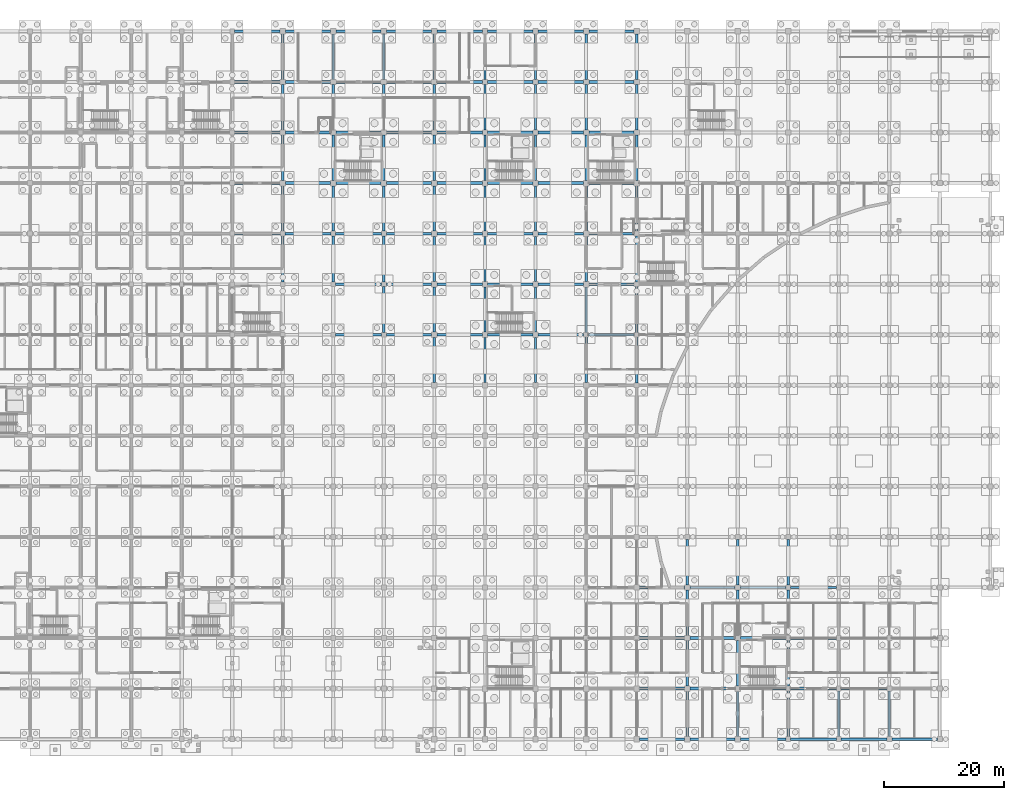
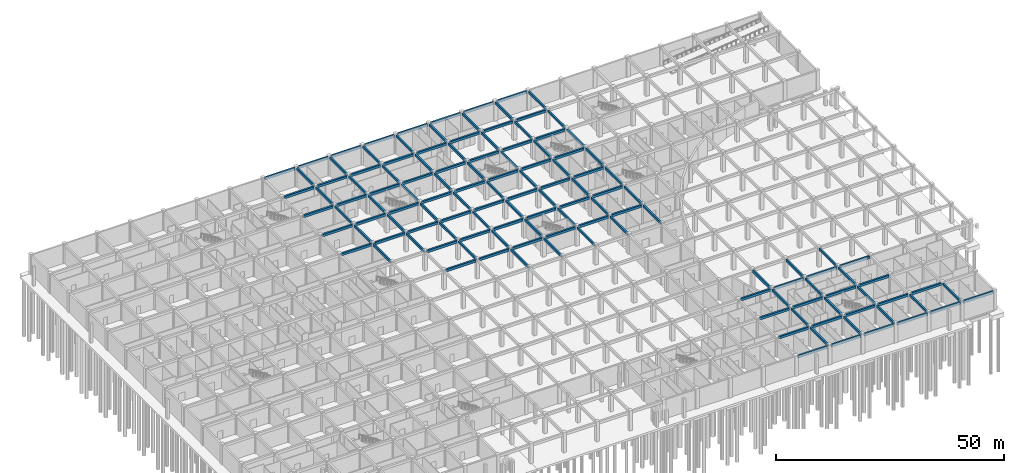
# One storey, part 23 of 65: 136 beams.
"""IFC4 building model written with IfcOpenShell, lengths in metres."""

from ifc_helpers import new_model, si_unit, direction, frame, origin, origin_2d, place, context, subcontext, project, spatial, rectangle, extrude, material, material_profile, profile_set, type_object, element, save


model = new_model("IFC4")

# Units and contexts
model_context = context("Model", 3, precision=1e-05, world=origin(), true_north=direction((0.0, 1.0)))
body_context = subcontext(model_context, "Body", "Model", "MODEL_VIEW")
ifc_project = project(units=[si_unit("LENGTHUNIT", "METRE"), si_unit("AREAUNIT", "SQUARE_METRE"), si_unit("VOLUMEUNIT", "CUBIC_METRE"), si_unit("PLANEANGLEUNIT", "RADIAN"), si_unit("MASSUNIT", "GRAM", prefix="KILO")], contexts=[model_context])

# Site, building, storey
site_placement = place(None, origin())
site = spatial("IfcSite", under=ifc_project, at=site_placement, CompositionType="ELEMENT")
building_placement = place(site_placement, origin())
building = spatial("IfcBuilding", under=site, at=building_placement, Name="Bramfleet General Hospital", CompositionType="ELEMENT")
storey_placement = place(building_placement, frame((0.0, 0.0, -5.39990234375)))
storey = spatial("IfcBuildingStorey", under=building, at=storey_placement, Name="B1", CompositionType="ELEMENT", Elevation=-5.39990234375)

# Beams
ifc_material = material(Name="Concrete C35/45", Category="concrete")
ifc_material_profile_1 = material_profile(ifc_material, rectangle(XDim=0.39990234375, YDim=0.60009765625, at=origin_2d()), Name="RC BM 600x400")
ifc_profile_set_1 = profile_set([ifc_material_profile_1], Name="Concrete C35/45")
beam_type_1 = type_object("IfcBeamType", Name="BM-RC600", PredefinedType="BEAM", material=ifc_profile_set_1)
beam_1_placement = place(storey_placement, frame((67.199951171875, 76.0, 4.77978515625), z_axis=(0.0, 1.0, 0.0), x_axis=(-1.0, 0.0, 0.0)))
element("IfcBeam", 1, at=beam_1_placement, inside=storey, type_object=beam_type_1, Name="B1 Grid Beam Y 08-09", PredefinedType="BEAM", context=body_context, shape_type="SweptSolid", body=[
    extrude(rectangle(XDim=0.39990234375, YDim=0.60009765625, at=origin_2d()), origin(), (0.0, 0.0, 1.0), 7.60009765625),
])
beam_2_placement = place(storey_placement, frame((67.199951171875, 84.39990234375, 4.77978515625), z_axis=(0.0, 1.0, 0.0), x_axis=(-1.0, 0.0, 0.0)))
element("IfcBeam", 2, at=beam_2_placement, inside=storey, type_object=beam_type_1, Name="B1 Grid Beam Y 08-10", PredefinedType="BEAM", context=body_context, shape_type="SweptSolid", body=[
    extrude(rectangle(XDim=0.39990234375, YDim=0.60009765625, at=origin_2d()), origin(), (0.0, 0.0, 1.0), 7.550048828125),
])
for number, where, z_axis, x_axis, name in (
    (3, (67.199951171875, 92.85009765625, 4.77978515625), (0.0, 1.0, 0.0), (-1.0, 0.0, 0.0), "B1 Grid Beam Y 08-11"),
    (4, (67.199951171875, 101.25, 4.77978515625), (0.0, 1.0, 0.0), (-1.0, 0.0, 0.0), "B1 Grid Beam Y 08-12"),
    (5, (67.199951171875, 109.64990234375, 4.77978515625), (0.0, 1.0, 0.0), (-1.0, 0.0, 0.0), "B1 Grid Beam Y 08-13"),
):
    element("IfcBeam", number, at=place(storey_placement, frame(where, z_axis=z_axis, x_axis=x_axis)), inside=storey, type_object=beam_type_1, Name=name, PredefinedType="BEAM", context=body_context, shape_type="SweptSolid", body=[
        extrude(rectangle(XDim=0.39990234375, YDim=0.60009765625, at=origin_2d()), origin(), (0.0, 0.0, 1.0), 7.5),
    ])
beam_3_placement = place(storey_placement, frame((75.60009765625, 76.0, 4.77978515625), z_axis=(0.0, 1.0, 0.0), x_axis=(-1.0, 0.0, 0.0)))
element("IfcBeam", 6, at=beam_3_placement, inside=storey, type_object=beam_type_1, Name="B1 Grid Beam Y 09-09", PredefinedType="BEAM", context=body_context, shape_type="SweptSolid", body=[
    extrude(rectangle(XDim=0.39990234375, YDim=0.60009765625, at=origin_2d()), origin(), (0.0, 0.0, 1.0), 7.60009765625),
])
beam_4_placement = place(storey_placement, frame((75.60009765625, 84.39990234375, 4.77978515625), z_axis=(0.0, 1.0, 0.0), x_axis=(-1.0, 0.0, 0.0)))
element("IfcBeam", 7, at=beam_4_placement, inside=storey, type_object=beam_type_1, Name="B1 Grid Beam Y 09-10", PredefinedType="BEAM", context=body_context, shape_type="SweptSolid", body=[
    extrude(rectangle(XDim=0.39990234375, YDim=0.60009765625, at=origin_2d()), origin(), (0.0, 0.0, 1.0), 7.550048828125),
])
for number, where, z_axis, x_axis, name in (
    (8, (75.60009765625, 92.85009765625, 4.77978515625), (0.0, 1.0, 0.0), (-1.0, 0.0, 0.0), "B1 Grid Beam Y 09-11"),
    (9, (75.60009765625, 101.25, 4.77978515625), (0.0, 1.0, 0.0), (-1.0, 0.0, 0.0), "B1 Grid Beam Y 09-12"),
    (10, (75.60009765625, 109.64990234375, 4.77978515625), (0.0, 1.0, 0.0), (-1.0, 0.0, 0.0), "B1 Grid Beam Y 09-13"),
):
    element("IfcBeam", number, at=place(storey_placement, frame(where, z_axis=z_axis, x_axis=x_axis)), inside=storey, type_object=beam_type_1, Name=name, PredefinedType="BEAM", context=body_context, shape_type="SweptSolid", body=[
        extrude(rectangle(XDim=0.39990234375, YDim=0.60009765625, at=origin_2d()), origin(), (0.0, 0.0, 1.0), 7.5),
    ])
beam_5_placement = place(storey_placement, frame((84.0, 67.60009765625, 4.77978515625), z_axis=(0.0, 1.0, 0.0), x_axis=(-1.0, 0.0, 0.0)))
element("IfcBeam", 11, at=beam_5_placement, inside=storey, type_object=beam_type_1, Name="B1 Grid Beam Y 10-08", PredefinedType="BEAM", context=body_context, shape_type="SweptSolid", body=[
    extrude(rectangle(XDim=0.39990234375, YDim=0.60009765625, at=origin_2d()), origin(), (0.0, 0.0, 1.0), 7.599853515625),
])
beam_6_placement = place(storey_placement, frame((84.0, 76.0, 4.77978515625), z_axis=(0.0, 1.0, 0.0), x_axis=(-1.0, 0.0, 0.0)))
element("IfcBeam", 12, at=beam_6_placement, inside=storey, type_object=beam_type_1, Name="B1 Grid Beam Y 10-09", PredefinedType="BEAM", context=body_context, shape_type="SweptSolid", body=[
    extrude(rectangle(XDim=0.39990234375, YDim=0.60009765625, at=origin_2d()), origin(), (0.0, 0.0, 1.0), 7.60009765625),
])
beam_7_placement = place(storey_placement, frame((84.0, 84.39990234375, 4.77978515625), z_axis=(0.0, 1.0, 0.0), x_axis=(-1.0, 0.0, 0.0)))
element("IfcBeam", 13, at=beam_7_placement, inside=storey, type_object=beam_type_1, Name="B1 Grid Beam Y 10-10", PredefinedType="BEAM", context=body_context, shape_type="SweptSolid", body=[
    extrude(rectangle(XDim=0.39990234375, YDim=0.60009765625, at=origin_2d()), origin(), (0.0, 0.0, 1.0), 7.550048828125),
])
for number, where, z_axis, x_axis, name in (
    (14, (84.0, 92.85009765625, 4.77978515625), (0.0, 1.0, 0.0), (-1.0, 0.0, 0.0), "B1 Grid Beam Y 10-11"),
    (15, (84.0, 101.25, 4.77978515625), (0.0, 1.0, 0.0), (-1.0, 0.0, 0.0), "B1 Grid Beam Y 10-12"),
    (16, (84.0, 109.64990234375, 4.77978515625), (0.0, 1.0, 0.0), (-1.0, 0.0, 0.0), "B1 Grid Beam Y 10-13"),
    (17, (92.39990234375, 59.25, 4.77978515625), (0.0, 1.0, 0.0), (-1.0, 0.0, 0.0), "B1 Grid Beam Y 11-07"),
    (18, (92.39990234375, 67.64990234375, 4.77978515625), (0.0, 1.0, 0.0), (-1.0, 0.0, 0.0), "B1 Grid Beam Y 11-08"),
    (19, (92.39990234375, 76.050048828125, 4.77978515625), (0.0, 1.0, 0.0), (-1.0, 0.0, 0.0), "B1 Grid Beam Y 11-09"),
    (20, (92.39990234375, 84.449951171875, 4.77978515625), (0.0, 1.0, 0.0), (-1.0, 0.0, 0.0), "B1 Grid Beam Y 11-10"),
    (21, (92.39990234375, 92.85009765625, 4.77978515625), (0.0, 1.0, 0.0), (-1.0, 0.0, 0.0), "B1 Grid Beam Y 11-11"),
    (22, (92.39990234375, 101.25, 4.77978515625), (0.0, 1.0, 0.0), (-1.0, 0.0, 0.0), "B1 Grid Beam Y 11-12"),
    (23, (92.39990234375, 109.64990234375, 4.77978515625), (0.0, 1.0, 0.0), (-1.0, 0.0, 0.0), "B1 Grid Beam Y 11-13"),
    (24, (100.800048828125, 59.25, 4.77978515625), (0.0, 1.0, 0.0), (-1.0, 0.0, 0.0), "B1 Grid Beam Y 12-07"),
    (25, (100.800048828125, 67.64990234375, 4.77978515625), (0.0, 1.0, 0.0), (-1.0, 0.0, 0.0), "B1 Grid Beam Y 12-08"),
    (26, (100.800048828125, 76.050048828125, 4.77978515625), (0.0, 1.0, 0.0), (-1.0, 0.0, 0.0), "B1 Grid Beam Y 12-09"),
    (27, (100.800048828125, 84.449951171875, 4.77978515625), (0.0, 1.0, 0.0), (-1.0, 0.0, 0.0), "B1 Grid Beam Y 12-10"),
    (28, (100.800048828125, 92.85009765625, 4.77978515625), (0.0, 1.0, 0.0), (-1.0, 0.0, 0.0), "B1 Grid Beam Y 12-11"),
    (29, (100.800048828125, 101.25, 4.77978515625), (0.0, 1.0, 0.0), (-1.0, 0.0, 0.0), "B1 Grid Beam Y 12-12"),
    (30, (100.800048828125, 109.64990234375, 4.77978515625), (0.0, 1.0, 0.0), (-1.0, 0.0, 0.0), "B1 Grid Beam Y 12-13"),
    (31, (109.199951171875, 59.25, 4.77978515625), (0.0, 1.0, 0.0), (-1.0, 0.0, 0.0), "B1 Grid Beam Y 13-07"),
    (32, (109.199951171875, 67.64990234375, 4.77978515625), (0.0, 1.0, 0.0), (-1.0, 0.0, 0.0), "B1 Grid Beam Y 13-08"),
    (33, (109.199951171875, 76.050048828125, 4.77978515625), (0.0, 1.0, 0.0), (-1.0, 0.0, 0.0), "B1 Grid Beam Y 13-09"),
    (34, (109.199951171875, 84.449951171875, 4.77978515625), (0.0, 1.0, 0.0), (-1.0, 0.0, 0.0), "B1 Grid Beam Y 13-10"),
    (35, (109.199951171875, 92.85009765625, 4.77978515625), (0.0, 1.0, 0.0), (-1.0, 0.0, 0.0), "B1 Grid Beam Y 13-11"),
    (36, (109.199951171875, 101.25, 4.77978515625), (0.0, 1.0, 0.0), (-1.0, 0.0, 0.0), "B1 Grid Beam Y 13-12"),
    (37, (109.199951171875, 109.64990234375, 4.77978515625), (0.0, 1.0, 0.0), (-1.0, 0.0, 0.0), "B1 Grid Beam Y 13-13"),
):
    element("IfcBeam", number, at=place(storey_placement, frame(where, z_axis=z_axis, x_axis=x_axis)), inside=storey, type_object=beam_type_1, Name=name, PredefinedType="BEAM", context=body_context, shape_type="SweptSolid", body=[
        extrude(rectangle(XDim=0.39990234375, YDim=0.60009765625, at=origin_2d()), origin(), (0.0, 0.0, 1.0), 7.5),
    ])
beam_8_placement = place(storey_placement, frame((117.60009765625, 59.25, 4.77978515625), z_axis=(0.0, 1.0, 0.0), x_axis=(-1.0, 0.0, 0.0)))
element("IfcBeam", 38, at=beam_8_placement, inside=storey, type_object=beam_type_1, Name="B1 Grid Beam Y 14-07", PredefinedType="BEAM", context=body_context, shape_type="SweptSolid", body=[
    extrude(rectangle(XDim=0.39990234375, YDim=0.60009765625, at=origin_2d()), origin(), (0.0, 0.0, 1.0), 7.550048828125),
])
beam_9_placement = place(storey_placement, frame((117.60009765625, 67.60009765625, 4.77978515625), z_axis=(0.0, 1.0, 0.0), x_axis=(-1.0, 0.0, 0.0)))
element("IfcBeam", 39, at=beam_9_placement, inside=storey, type_object=beam_type_1, Name="B1 Grid Beam Y 14-08", PredefinedType="BEAM", context=body_context, shape_type="SweptSolid", body=[
    extrude(rectangle(XDim=0.39990234375, YDim=0.60009765625, at=origin_2d()), origin(), (0.0, 0.0, 1.0), 7.5498046875),
])
for number, where, z_axis, x_axis, name in (
    (40, (117.60009765625, 76.050048828125, 4.77978515625), (0.0, 1.0, 0.0), (-1.0, 0.0, 0.0), "B1 Grid Beam Y 14-09"),
    (41, (117.60009765625, 84.449951171875, 4.77978515625), (0.0, 1.0, 0.0), (-1.0, 0.0, 0.0), "B1 Grid Beam Y 14-10"),
    (42, (117.60009765625, 92.85009765625, 4.77978515625), (0.0, 1.0, 0.0), (-1.0, 0.0, 0.0), "B1 Grid Beam Y 14-11"),
    (43, (117.60009765625, 101.25, 4.77978515625), (0.0, 1.0, 0.0), (-1.0, 0.0, 0.0), "B1 Grid Beam Y 14-12"),
    (44, (117.60009765625, 109.64990234375, 4.77978515625), (0.0, 1.0, 0.0), (-1.0, 0.0, 0.0), "B1 Grid Beam Y 14-13"),
):
    element("IfcBeam", number, at=place(storey_placement, frame(where, z_axis=z_axis, x_axis=x_axis)), inside=storey, type_object=beam_type_1, Name=name, PredefinedType="BEAM", context=body_context, shape_type="SweptSolid", body=[
        extrude(rectangle(XDim=0.39990234375, YDim=0.60009765625, at=origin_2d()), origin(), (0.0, 0.0, 1.0), 7.5),
    ])
beam_10_placement = place(storey_placement, frame((126.0, 59.199951171875, 4.77978515625), z_axis=(0.0, 1.0, 0.0), x_axis=(-1.0, 0.0, 0.0)))
element("IfcBeam", 45, at=beam_10_placement, inside=storey, type_object=beam_type_1, Name="B1 Grid Beam Y 15-07", PredefinedType="BEAM", context=body_context, shape_type="SweptSolid", body=[
    extrude(rectangle(XDim=0.39990234375, YDim=0.60009765625, at=origin_2d()), origin(), (0.0, 0.0, 1.0), 7.60009765625),
])
beam_11_placement = place(storey_placement, frame((126.0, 67.60009765625, 4.77978515625), z_axis=(0.0, 1.0, 0.0), x_axis=(-1.0, 0.0, 0.0)))
element("IfcBeam", 46, at=beam_11_placement, inside=storey, type_object=beam_type_1, Name="B1 Grid Beam Y 15-08", PredefinedType="BEAM", context=body_context, shape_type="SweptSolid", body=[
    extrude(rectangle(XDim=0.39990234375, YDim=0.60009765625, at=origin_2d()), origin(), (0.0, 0.0, 1.0), 7.599853515625),
])
beam_12_placement = place(storey_placement, frame((126.0, 76.0, 4.77978515625), z_axis=(0.0, 1.0, 0.0), x_axis=(-1.0, 0.0, 0.0)))
element("IfcBeam", 47, at=beam_12_placement, inside=storey, type_object=beam_type_1, Name="B1 Grid Beam Y 15-09", PredefinedType="BEAM", context=body_context, shape_type="SweptSolid", body=[
    extrude(rectangle(XDim=0.39990234375, YDim=0.60009765625, at=origin_2d()), origin(), (0.0, 0.0, 1.0), 7.60009765625),
])
beam_13_placement = place(storey_placement, frame((126.0, 84.39990234375, 4.77978515625), z_axis=(0.0, 1.0, 0.0), x_axis=(-1.0, 0.0, 0.0)))
element("IfcBeam", 48, at=beam_13_placement, inside=storey, type_object=beam_type_1, Name="B1 Grid Beam Y 15-10", PredefinedType="BEAM", context=body_context, shape_type="SweptSolid", body=[
    extrude(rectangle(XDim=0.39990234375, YDim=0.60009765625, at=origin_2d()), origin(), (0.0, 0.0, 1.0), 7.550048828125),
])
for number, where, z_axis, x_axis, name in (
    (49, (126.0, 92.85009765625, 4.77978515625), (0.0, 1.0, 0.0), (-1.0, 0.0, 0.0), "B1 Grid Beam Y 15-11"),
    (50, (126.0, 101.25, 4.77978515625), (0.0, 1.0, 0.0), (-1.0, 0.0, 0.0), "B1 Grid Beam Y 15-12"),
    (51, (126.0, 109.64990234375, 4.77978515625), (0.0, 1.0, 0.0), (-1.0, 0.0, 0.0), "B1 Grid Beam Y 15-13"),
    (52, (134.39990234375, 0.449951171875, 4.77978515625), (0.0, 1.0, 0.0), (-1.0, 0.0, 0.0), "B1 Grid Beam Y 16-00"),
    (53, (134.39990234375, 8.85009765625, 4.77978515625), (0.0, 1.0, 0.0), (-1.0, 0.0, 0.0), "B1 Grid Beam Y 16-01"),
    (54, (134.39990234375, 17.25, 4.77978515625), (0.0, 1.0, 0.0), (-1.0, 0.0, 0.0), "B1 Grid Beam Y 16-02"),
    (55, (142.800048828125, 0.449951171875, 4.77978515625), (0.0, 1.0, 0.0), (-1.0, 0.0, 0.0), "B1 Grid Beam Y 17-00"),
    (56, (142.800048828125, 8.85009765625, 4.77978515625), (0.0, 1.0, 0.0), (-1.0, 0.0, 0.0), "B1 Grid Beam Y 17-01"),
    (57, (142.800048828125, 17.25, 4.77978515625), (0.0, 1.0, 0.0), (-1.0, 0.0, 0.0), "B1 Grid Beam Y 17-02"),
):
    element("IfcBeam", number, at=place(storey_placement, frame(where, z_axis=z_axis, x_axis=x_axis)), inside=storey, type_object=beam_type_1, Name=name, PredefinedType="BEAM", context=body_context, shape_type="SweptSolid", body=[
        extrude(rectangle(XDim=0.39990234375, YDim=0.60009765625, at=origin_2d()), origin(), (0.0, 0.0, 1.0), 7.5),
    ])
beam_14_placement = place(storey_placement, frame((142.800048828125, 25.64990234375, 4.77978515625), z_axis=(0.0, 1.0, 0.0), x_axis=(-1.0, 0.0, 0.0)))
element("IfcBeam", 58, at=beam_14_placement, inside=storey, type_object=beam_type_1, Name="B1 Grid Beam Y 17-03", PredefinedType="BEAM", context=body_context, shape_type="SweptSolid", body=[
    extrude(rectangle(XDim=0.39990234375, YDim=0.60009765625, at=origin_2d()), origin(), (0.0, 0.0, 1.0), 7.550048828125),
])
beam_15_placement = place(storey_placement, frame((151.199951171875, 0.39990234375, 4.77978515625), z_axis=(0.0, 1.0, 0.0), x_axis=(-1.0, 0.0, 0.0)))
element("IfcBeam", 59, at=beam_15_placement, inside=storey, type_object=beam_type_1, Name="B1 Grid Beam Y 18-00", PredefinedType="BEAM", context=body_context, shape_type="SweptSolid", body=[
    extrude(rectangle(XDim=0.39990234375, YDim=0.60009765625, at=origin_2d()), origin(), (0.0, 0.0, 1.0), 7.60009765625),
])
beam_16_placement = place(storey_placement, frame((151.199951171875, 8.800048828125, 4.77978515625), z_axis=(0.0, 1.0, 0.0), x_axis=(-1.0, 0.0, 0.0)))
element("IfcBeam", 60, at=beam_16_placement, inside=storey, type_object=beam_type_1, Name="B1 Grid Beam Y 18-01", PredefinedType="BEAM", context=body_context, shape_type="SweptSolid", body=[
    extrude(rectangle(XDim=0.39990234375, YDim=0.60009765625, at=origin_2d()), origin(), (0.0, 0.0, 1.0), 7.599853515625),
])
beam_17_placement = place(storey_placement, frame((151.199951171875, 17.199951171875, 4.77978515625), z_axis=(0.0, 1.0, 0.0), x_axis=(-1.0, 0.0, 0.0)))
element("IfcBeam", 61, at=beam_17_placement, inside=storey, type_object=beam_type_1, Name="B1 Grid Beam Y 18-02", PredefinedType="BEAM", context=body_context, shape_type="SweptSolid", body=[
    extrude(rectangle(XDim=0.39990234375, YDim=0.60009765625, at=origin_2d()), origin(), (0.0, 0.0, 1.0), 7.60009765625),
])
beam_18_placement = place(storey_placement, frame((151.199951171875, 25.60009765625, 4.77978515625), z_axis=(0.0, 1.0, 0.0), x_axis=(-1.0, 0.0, 0.0)))
element("IfcBeam", 62, at=beam_18_placement, inside=storey, type_object=beam_type_1, Name="B1 Grid Beam Y 18-03", PredefinedType="BEAM", context=body_context, shape_type="SweptSolid", body=[
    extrude(rectangle(XDim=0.39990234375, YDim=0.60009765625, at=origin_2d()), origin(), (0.0, 0.0, 1.0), 7.599853515625),
])
for number, where, z_axis, x_axis, name in (
    (63, (159.60009765625, 0.39990234375, 4.77978515625), (0.0, 1.0, 0.0), (-1.0, 0.0, 0.0), "B1 Grid Beam Y 19-00"),
    (64, (168.0, 0.39990234375, 4.77978515625), (0.0, 1.0, 0.0), (-1.0, 0.0, 0.0), "B1 Grid Beam Y 20-00"),
):
    element("IfcBeam", number, at=place(storey_placement, frame(where, z_axis=z_axis, x_axis=x_axis)), inside=storey, type_object=beam_type_1, Name=name, PredefinedType="BEAM", context=body_context, shape_type="SweptSolid", body=[
        extrude(rectangle(XDim=0.39990234375, YDim=0.60009765625, at=origin_2d()), origin(), (0.0, 0.0, 1.0), 7.60009765625),
    ])
ifc_material_profile_2 = material_profile(ifc_material, rectangle(XDim=0.449951171875, YDim=0.64990234375, at=origin_2d()), Name="RC BM 650x450")
ifc_profile_set_2 = profile_set([ifc_material_profile_2], Name="Concrete C35/45")
beam_type_2 = type_object("IfcBeamType", Name="BM-RC650", PredefinedType="BEAM", material=ifc_profile_set_2)
beam_19_placement = place(storey_placement, frame((59.199951171875, 84.0, 4.7548828125), z_axis=(1.0, 0.0, 0.0), x_axis=(0.0, 1.0, 0.0)))
element("IfcBeam", 65, at=beam_19_placement, inside=storey, type_object=beam_type_2, Name="B1 Grid Beam X 07-10", PredefinedType="BEAM", context=body_context, shape_type="SweptSolid", body=[
    extrude(rectangle(XDim=0.449951171875, YDim=0.64990234375, at=origin_2d()), origin(), (0.0, 0.0, 1.0), 7.60009765625),
])
for number, where, z_axis, x_axis, name in (
    (66, (59.199951171875, 92.39990234375, 4.7548828125), (1.0, 0.0, 0.0), (0.0, 1.0, 0.0), "B1 Grid Beam X 07-11"),
    (67, (59.199951171875, 100.800048828125, 4.7548828125), (1.0, 0.0, 0.0), (0.0, 1.0, 0.0), "B1 Grid Beam X 07-12"),
    (68, (59.199951171875, 109.199951171875, 4.7548828125), (1.0, 0.0, 0.0), (0.0, 1.0, 0.0), "B1 Grid Beam X 07-13"),
):
    element("IfcBeam", number, at=place(storey_placement, frame(where, z_axis=z_axis, x_axis=x_axis)), inside=storey, type_object=beam_type_2, Name=name, PredefinedType="BEAM", context=body_context, shape_type="SweptSolid", body=[
        extrude(rectangle(XDim=0.449951171875, YDim=0.64990234375, at=origin_2d()), origin(), (0.0, 0.0, 1.0), 7.550048828125),
    ])
beam_20_placement = place(storey_placement, frame((67.60009765625, 84.0, 4.7548828125), z_axis=(1.0, 0.0, 0.0), x_axis=(0.0, 1.0, 0.0)))
element("IfcBeam", 69, at=beam_20_placement, inside=storey, type_object=beam_type_2, Name="B1 Grid Beam X 08-10", PredefinedType="BEAM", context=body_context, shape_type="SweptSolid", body=[
    extrude(rectangle(XDim=0.449951171875, YDim=0.64990234375, at=origin_2d()), origin(), (0.0, 0.0, 1.0), 7.599853515625),
])
for number, where, z_axis, x_axis, name in (
    (70, (67.64990234375, 92.39990234375, 4.7548828125), (1.0, 0.0, 0.0), (0.0, 1.0, 0.0), "B1 Grid Beam X 08-11"),
    (71, (67.64990234375, 100.800048828125, 4.7548828125), (1.0, 0.0, 0.0), (0.0, 1.0, 0.0), "B1 Grid Beam X 08-12"),
    (72, (67.64990234375, 109.199951171875, 4.7548828125), (1.0, 0.0, 0.0), (0.0, 1.0, 0.0), "B1 Grid Beam X 08-13"),
):
    element("IfcBeam", number, at=place(storey_placement, frame(where, z_axis=z_axis, x_axis=x_axis)), inside=storey, type_object=beam_type_2, Name=name, PredefinedType="BEAM", context=body_context, shape_type="SweptSolid", body=[
        extrude(rectangle(XDim=0.449951171875, YDim=0.64990234375, at=origin_2d()), origin(), (0.0, 0.0, 1.0), 7.5),
    ])
for number, where, z_axis, x_axis, name in (
    (73, (76.0, 67.199951171875, 4.7548828125), (1.0, 0.0, 0.0), (0.0, 1.0, 0.0), "B1 Grid Beam X 09-08"),
    (74, (76.0, 75.60009765625, 4.7548828125), (1.0, 0.0, 0.0), (0.0, 1.0, 0.0), "B1 Grid Beam X 09-09"),
    (75, (76.0, 84.0, 4.7548828125), (1.0, 0.0, 0.0), (0.0, 1.0, 0.0), "B1 Grid Beam X 09-10"),
):
    element("IfcBeam", number, at=place(storey_placement, frame(where, z_axis=z_axis, x_axis=x_axis)), inside=storey, type_object=beam_type_2, Name=name, PredefinedType="BEAM", context=body_context, shape_type="SweptSolid", body=[
        extrude(rectangle(XDim=0.449951171875, YDim=0.64990234375, at=origin_2d()), origin(), (0.0, 0.0, 1.0), 7.60009765625),
    ])
for number, where, z_axis, x_axis, name in (
    (76, (76.050048828125, 92.39990234375, 4.7548828125), (1.0, 0.0, 0.0), (0.0, 1.0, 0.0), "B1 Grid Beam X 09-11"),
    (77, (76.050048828125, 100.800048828125, 4.7548828125), (1.0, 0.0, 0.0), (0.0, 1.0, 0.0), "B1 Grid Beam X 09-12"),
    (78, (76.050048828125, 109.199951171875, 4.7548828125), (1.0, 0.0, 0.0), (0.0, 1.0, 0.0), "B1 Grid Beam X 09-13"),
):
    element("IfcBeam", number, at=place(storey_placement, frame(where, z_axis=z_axis, x_axis=x_axis)), inside=storey, type_object=beam_type_2, Name=name, PredefinedType="BEAM", context=body_context, shape_type="SweptSolid", body=[
        extrude(rectangle(XDim=0.449951171875, YDim=0.64990234375, at=origin_2d()), origin(), (0.0, 0.0, 1.0), 7.5),
    ])
for number, where, z_axis, x_axis, name in (
    (79, (84.39990234375, 67.199951171875, 4.7548828125), (1.0, 0.0, 0.0), (0.0, 1.0, 0.0), "B1 Grid Beam X 10-08"),
    (80, (84.39990234375, 75.60009765625, 4.7548828125), (1.0, 0.0, 0.0), (0.0, 1.0, 0.0), "B1 Grid Beam X 10-09"),
    (81, (84.39990234375, 84.0, 4.7548828125), (1.0, 0.0, 0.0), (0.0, 1.0, 0.0), "B1 Grid Beam X 10-10"),
):
    element("IfcBeam", number, at=place(storey_placement, frame(where, z_axis=z_axis, x_axis=x_axis)), inside=storey, type_object=beam_type_2, Name=name, PredefinedType="BEAM", context=body_context, shape_type="SweptSolid", body=[
        extrude(rectangle(XDim=0.449951171875, YDim=0.64990234375, at=origin_2d()), origin(), (0.0, 0.0, 1.0), 7.550048828125),
    ])
for number, where, z_axis, x_axis, name in (
    (82, (84.449951171875, 92.39990234375, 4.7548828125), (1.0, 0.0, 0.0), (0.0, 1.0, 0.0), "B1 Grid Beam X 10-11"),
    (83, (84.449951171875, 100.800048828125, 4.7548828125), (1.0, 0.0, 0.0), (0.0, 1.0, 0.0), "B1 Grid Beam X 10-12"),
    (84, (84.449951171875, 109.199951171875, 4.7548828125), (1.0, 0.0, 0.0), (0.0, 1.0, 0.0), "B1 Grid Beam X 10-13"),
    (85, (92.85009765625, 67.199951171875, 4.7548828125), (1.0, 0.0, 0.0), (0.0, 1.0, 0.0), "B1 Grid Beam X 11-08"),
    (86, (92.85009765625, 75.60009765625, 4.7548828125), (1.0, 0.0, 0.0), (0.0, 1.0, 0.0), "B1 Grid Beam X 11-09"),
    (87, (92.85009765625, 84.0, 4.7548828125), (1.0, 0.0, 0.0), (0.0, 1.0, 0.0), "B1 Grid Beam X 11-10"),
    (88, (92.85009765625, 92.39990234375, 4.7548828125), (1.0, 0.0, 0.0), (0.0, 1.0, 0.0), "B1 Grid Beam X 11-11"),
    (89, (92.85009765625, 100.800048828125, 4.7548828125), (1.0, 0.0, 0.0), (0.0, 1.0, 0.0), "B1 Grid Beam X 11-12"),
    (90, (92.85009765625, 109.199951171875, 4.7548828125), (1.0, 0.0, 0.0), (0.0, 1.0, 0.0), "B1 Grid Beam X 11-13"),
    (91, (101.25, 67.199951171875, 4.7548828125), (1.0, 0.0, 0.0), (0.0, 1.0, 0.0), "B1 Grid Beam X 12-08"),
    (92, (101.25, 75.60009765625, 4.7548828125), (1.0, 0.0, 0.0), (0.0, 1.0, 0.0), "B1 Grid Beam X 12-09"),
    (93, (101.25, 84.0, 4.7548828125), (1.0, 0.0, 0.0), (0.0, 1.0, 0.0), "B1 Grid Beam X 12-10"),
    (94, (101.25, 92.39990234375, 4.7548828125), (1.0, 0.0, 0.0), (0.0, 1.0, 0.0), "B1 Grid Beam X 12-11"),
    (95, (101.25, 100.800048828125, 4.7548828125), (1.0, 0.0, 0.0), (0.0, 1.0, 0.0), "B1 Grid Beam X 12-12"),
    (96, (101.25, 109.199951171875, 4.7548828125), (1.0, 0.0, 0.0), (0.0, 1.0, 0.0), "B1 Grid Beam X 12-13"),
):
    element("IfcBeam", number, at=place(storey_placement, frame(where, z_axis=z_axis, x_axis=x_axis)), inside=storey, type_object=beam_type_2, Name=name, PredefinedType="BEAM", context=body_context, shape_type="SweptSolid", body=[
        extrude(rectangle(XDim=0.449951171875, YDim=0.64990234375, at=origin_2d()), origin(), (0.0, 0.0, 1.0), 7.5),
    ])
beam_21_placement = place(storey_placement, frame((109.64990234375, 67.199951171875, 4.7548828125), z_axis=(1.0, 0.0, 0.0), x_axis=(0.0, 1.0, 0.0)))
element("IfcBeam", 97, at=beam_21_placement, inside=storey, type_object=beam_type_2, Name="B1 Grid Beam X 13-08", PredefinedType="BEAM", context=body_context, shape_type="SweptSolid", body=[
    extrude(rectangle(XDim=0.449951171875, YDim=0.64990234375, at=origin_2d()), origin(), (0.0, 0.0, 1.0), 7.550048828125),
])
for number, where, z_axis, x_axis, name in (
    (98, (109.64990234375, 75.60009765625, 4.7548828125), (1.0, 0.0, 0.0), (0.0, 1.0, 0.0), "B1 Grid Beam X 13-09"),
    (99, (109.64990234375, 84.0, 4.7548828125), (1.0, 0.0, 0.0), (0.0, 1.0, 0.0), "B1 Grid Beam X 13-10"),
    (100, (109.64990234375, 92.39990234375, 4.7548828125), (1.0, 0.0, 0.0), (0.0, 1.0, 0.0), "B1 Grid Beam X 13-11"),
    (101, (109.64990234375, 100.800048828125, 4.7548828125), (1.0, 0.0, 0.0), (0.0, 1.0, 0.0), "B1 Grid Beam X 13-12"),
    (102, (109.64990234375, 109.199951171875, 4.7548828125), (1.0, 0.0, 0.0), (0.0, 1.0, 0.0), "B1 Grid Beam X 13-13"),
):
    element("IfcBeam", number, at=place(storey_placement, frame(where, z_axis=z_axis, x_axis=x_axis)), inside=storey, type_object=beam_type_2, Name=name, PredefinedType="BEAM", context=body_context, shape_type="SweptSolid", body=[
        extrude(rectangle(XDim=0.449951171875, YDim=0.64990234375, at=origin_2d()), origin(), (0.0, 0.0, 1.0), 7.5),
    ])
beam_22_placement = place(storey_placement, frame((118.0, 67.199951171875, 4.7548828125), z_axis=(1.0, 0.0, 0.0), x_axis=(0.0, 1.0, 0.0)))
element("IfcBeam", 103, at=beam_22_placement, inside=storey, type_object=beam_type_2, Name="B1 Grid Beam X 14-08", PredefinedType="BEAM", context=body_context, shape_type="SweptSolid", body=[
    extrude(rectangle(XDim=0.449951171875, YDim=0.64990234375, at=origin_2d()), origin(), (0.0, 0.0, 1.0), 7.60009765625),
])
for number, where, z_axis, x_axis, name in (
    (104, (118.050048828125, 75.60009765625, 4.7548828125), (1.0, 0.0, 0.0), (0.0, 1.0, 0.0), "B1 Grid Beam X 14-09"),
    (105, (118.050048828125, 84.0, 4.7548828125), (1.0, 0.0, 0.0), (0.0, 1.0, 0.0), "B1 Grid Beam X 14-10"),
):
    element("IfcBeam", number, at=place(storey_placement, frame(where, z_axis=z_axis, x_axis=x_axis)), inside=storey, type_object=beam_type_2, Name=name, PredefinedType="BEAM", context=body_context, shape_type="SweptSolid", body=[
        extrude(rectangle(XDim=0.449951171875, YDim=0.64990234375, at=origin_2d()), origin(), (0.0, 0.0, 1.0), 7.550048828125),
    ])
for number, where, z_axis, x_axis, name in (
    (106, (118.050048828125, 92.39990234375, 4.7548828125), (1.0, 0.0, 0.0), (0.0, 1.0, 0.0), "B1 Grid Beam X 14-11"),
    (107, (118.050048828125, 100.800048828125, 4.7548828125), (1.0, 0.0, 0.0), (0.0, 1.0, 0.0), "B1 Grid Beam X 14-12"),
    (108, (118.050048828125, 109.199951171875, 4.7548828125), (1.0, 0.0, 0.0), (0.0, 1.0, 0.0), "B1 Grid Beam X 14-13"),
    (109, (126.449951171875, 8.39990234375, 4.7548828125), (1.0, 0.0, 0.0), (0.0, 1.0, 0.0), "B1 Grid Beam X 15-01"),
    (110, (126.449951171875, 16.800048828125, 4.7548828125), (1.0, 0.0, 0.0), (0.0, 1.0, 0.0), "B1 Grid Beam X 15-02"),
    (111, (126.449951171875, 25.199951171875, 4.7548828125), (1.0, 0.0, 0.0), (0.0, 1.0, 0.0), "B1 Grid Beam X 15-03"),
    (112, (134.85009765625, 8.39990234375, 4.7548828125), (1.0, 0.0, 0.0), (0.0, 1.0, 0.0), "B1 Grid Beam X 16-01"),
    (113, (134.85009765625, 16.800048828125, 4.7548828125), (1.0, 0.0, 0.0), (0.0, 1.0, 0.0), "B1 Grid Beam X 16-02"),
):
    element("IfcBeam", number, at=place(storey_placement, frame(where, z_axis=z_axis, x_axis=x_axis)), inside=storey, type_object=beam_type_2, Name=name, PredefinedType="BEAM", context=body_context, shape_type="SweptSolid", body=[
        extrude(rectangle(XDim=0.449951171875, YDim=0.64990234375, at=origin_2d()), origin(), (0.0, 0.0, 1.0), 7.5),
    ])
for number, where, z_axis, x_axis, name in (
    (114, (143.25, 8.39990234375, 4.7548828125), (1.0, 0.0, 0.0), (0.0, 1.0, 0.0), "B1 Grid Beam X 17-01"),
    (115, (143.25, 16.800048828125, 4.7548828125), (1.0, 0.0, 0.0), (0.0, 1.0, 0.0), "B1 Grid Beam X 17-02"),
):
    element("IfcBeam", number, at=place(storey_placement, frame(where, z_axis=z_axis, x_axis=x_axis)), inside=storey, type_object=beam_type_2, Name=name, PredefinedType="BEAM", context=body_context, shape_type="SweptSolid", body=[
        extrude(rectangle(XDim=0.449951171875, YDim=0.64990234375, at=origin_2d()), origin(), (0.0, 0.0, 1.0), 7.550048828125),
    ])
for number, where, z_axis, x_axis, name in (
    (116, (151.60009765625, 8.39990234375, 4.7548828125), (1.0, 0.0, 0.0), (0.0, 1.0, 0.0), "B1 Grid Beam X 18-01"),
    (117, (151.60009765625, 16.800048828125, 4.7548828125), (1.0, 0.0, 0.0), (0.0, 1.0, 0.0), "B1 Grid Beam X 18-02"),
):
    element("IfcBeam", number, at=place(storey_placement, frame(where, z_axis=z_axis, x_axis=x_axis)), inside=storey, type_object=beam_type_2, Name=name, PredefinedType="BEAM", context=body_context, shape_type="SweptSolid", body=[
        extrude(rectangle(XDim=0.449951171875, YDim=0.64990234375, at=origin_2d()), origin(), (0.0, 0.0, 1.0), 7.599853515625),
    ])
beam_23_placement = place(storey_placement, frame((160.0, 8.39990234375, 4.7548828125), z_axis=(1.0, 0.0, 0.0), x_axis=(0.0, 1.0, 0.0)))
element("IfcBeam", 118, at=beam_23_placement, inside=storey, type_object=beam_type_2, Name="B1 Grid Beam X 19-01", PredefinedType="BEAM", context=body_context, shape_type="SweptSolid", body=[
    extrude(rectangle(XDim=0.449951171875, YDim=0.64990234375, at=origin_2d()), origin(), (0.0, 0.0, 1.0), 7.60009765625),
])
ifc_material_profile_3 = material_profile(ifc_material, rectangle(XDim=0.39990234375, YDim=0.699951171875, at=origin_2d()), Name="RC SP 700x400")
ifc_profile_set_3 = profile_set([ifc_material_profile_3], Name="Concrete C35/45")
beam_type_3 = type_object("IfcBeamType", Name="BM-SP700", PredefinedType="SPANDREL", material=ifc_profile_set_3)
beam_24_placement = place(storey_placement, frame((59.199951171875, 117.60009765625, 4.72998046875), z_axis=(1.0, 0.0, 0.0), x_axis=(0.0, 1.0, 0.0)))
element("IfcBeam", 119, at=beam_24_placement, inside=storey, type_object=beam_type_3, Name="B1 Grid Beam X 07-14", PredefinedType="SPANDREL", context=body_context, shape_type="SweptSolid", body=[
    extrude(rectangle(XDim=0.39990234375, YDim=0.699951171875, at=origin_2d()), origin(), (0.0, 0.0, 1.0), 7.550048828125),
])
for number, where, z_axis, x_axis, name in (
    (120, (67.64990234375, 117.60009765625, 4.72998046875), (1.0, 0.0, 0.0), (0.0, 1.0, 0.0), "B1 Grid Beam X 08-14"),
    (121, (76.050048828125, 117.60009765625, 4.72998046875), (1.0, 0.0, 0.0), (0.0, 1.0, 0.0), "B1 Grid Beam X 09-14"),
    (122, (84.449951171875, 117.60009765625, 4.72998046875), (1.0, 0.0, 0.0), (0.0, 1.0, 0.0), "B1 Grid Beam X 10-14"),
    (123, (92.85009765625, 117.60009765625, 4.72998046875), (1.0, 0.0, 0.0), (0.0, 1.0, 0.0), "B1 Grid Beam X 11-14"),
    (124, (101.25, 117.60009765625, 4.72998046875), (1.0, 0.0, 0.0), (0.0, 1.0, 0.0), "B1 Grid Beam X 12-14"),
    (125, (109.64990234375, 117.60009765625, 4.72998046875), (1.0, 0.0, 0.0), (0.0, 1.0, 0.0), "B1 Grid Beam X 13-14"),
    (126, (118.050048828125, 117.60009765625, 4.72998046875), (1.0, 0.0, 0.0), (0.0, 1.0, 0.0), "B1 Grid Beam X 14-14"),
    (127, (126.449951171875, 0.0, 4.72998046875), (1.0, 0.0, 0.0), (0.0, 1.0, 0.0), "B1 Grid Beam X 15-00"),
    (128, (134.85009765625, 0.0, 4.72998046875), (1.0, 0.0, 0.0), (0.0, 1.0, 0.0), "B1 Grid Beam X 16-00"),
    (129, (134.85009765625, 25.199951171875, 4.72998046875), (1.0, 0.0, 0.0), (0.0, 1.0, 0.0), "B1 Grid Beam X 16-03"),
):
    element("IfcBeam", number, at=place(storey_placement, frame(where, z_axis=z_axis, x_axis=x_axis)), inside=storey, type_object=beam_type_3, Name=name, PredefinedType="SPANDREL", context=body_context, shape_type="SweptSolid", body=[
        extrude(rectangle(XDim=0.39990234375, YDim=0.699951171875, at=origin_2d()), origin(), (0.0, 0.0, 1.0), 7.5),
    ])
for number, where, z_axis, x_axis, name in (
    (130, (143.25, 0.0, 4.72998046875), (1.0, 0.0, 0.0), (0.0, 1.0, 0.0), "B1 Grid Beam X 17-00"),
    (131, (143.25, 25.199951171875, 4.72998046875), (1.0, 0.0, 0.0), (0.0, 1.0, 0.0), "B1 Grid Beam X 17-03"),
):
    element("IfcBeam", number, at=place(storey_placement, frame(where, z_axis=z_axis, x_axis=x_axis)), inside=storey, type_object=beam_type_3, Name=name, PredefinedType="SPANDREL", context=body_context, shape_type="SweptSolid", body=[
        extrude(rectangle(XDim=0.39990234375, YDim=0.699951171875, at=origin_2d()), origin(), (0.0, 0.0, 1.0), 7.550048828125),
    ])
for number, where, z_axis, x_axis, name in (
    (132, (151.60009765625, 0.0, 4.72998046875), (1.0, 0.0, 0.0), (0.0, 1.0, 0.0), "B1 Grid Beam X 18-00"),
    (133, (151.60009765625, 25.199951171875, 4.72998046875), (1.0, 0.0, 0.0), (0.0, 1.0, 0.0), "B1 Grid Beam X 18-03"),
):
    element("IfcBeam", number, at=place(storey_placement, frame(where, z_axis=z_axis, x_axis=x_axis)), inside=storey, type_object=beam_type_3, Name=name, PredefinedType="SPANDREL", context=body_context, shape_type="SweptSolid", body=[
        extrude(rectangle(XDim=0.39990234375, YDim=0.699951171875, at=origin_2d()), origin(), (0.0, 0.0, 1.0), 7.599853515625),
    ])
for number, where, z_axis, x_axis, name in (
    (134, (160.0, 0.0, 4.72998046875), (1.0, 0.0, 0.0), (0.0, 1.0, 0.0), "B1 Grid Beam X 19-00"),
    (135, (168.39990234375, 0.0, 4.72998046875), (1.0, 0.0, 0.0), (0.0, 1.0, 0.0), "B1 Grid Beam X 20-00"),
):
    element("IfcBeam", number, at=place(storey_placement, frame(where, z_axis=z_axis, x_axis=x_axis)), inside=storey, type_object=beam_type_3, Name=name, PredefinedType="SPANDREL", context=body_context, shape_type="SweptSolid", body=[
        extrude(rectangle(XDim=0.39990234375, YDim=0.699951171875, at=origin_2d()), origin(), (0.0, 0.0, 1.0), 7.60009765625),
    ])
beam_25_placement = place(storey_placement, frame((134.39990234375, 25.64990234375, 4.72998046875), z_axis=(0.0, 1.0, 0.0), x_axis=(-1.0, 0.0, 0.0)))
element("IfcBeam", 136, at=beam_25_placement, inside=storey, type_object=beam_type_3, Name="B1 Grid Beam Y 16-03", PredefinedType="SPANDREL", context=body_context, shape_type="SweptSolid", body=[
    extrude(rectangle(XDim=0.39990234375, YDim=0.699951171875, at=origin_2d()), origin(), (0.0, 0.0, 1.0), 7.550048828125),
])

save(model, "model.ifc")
